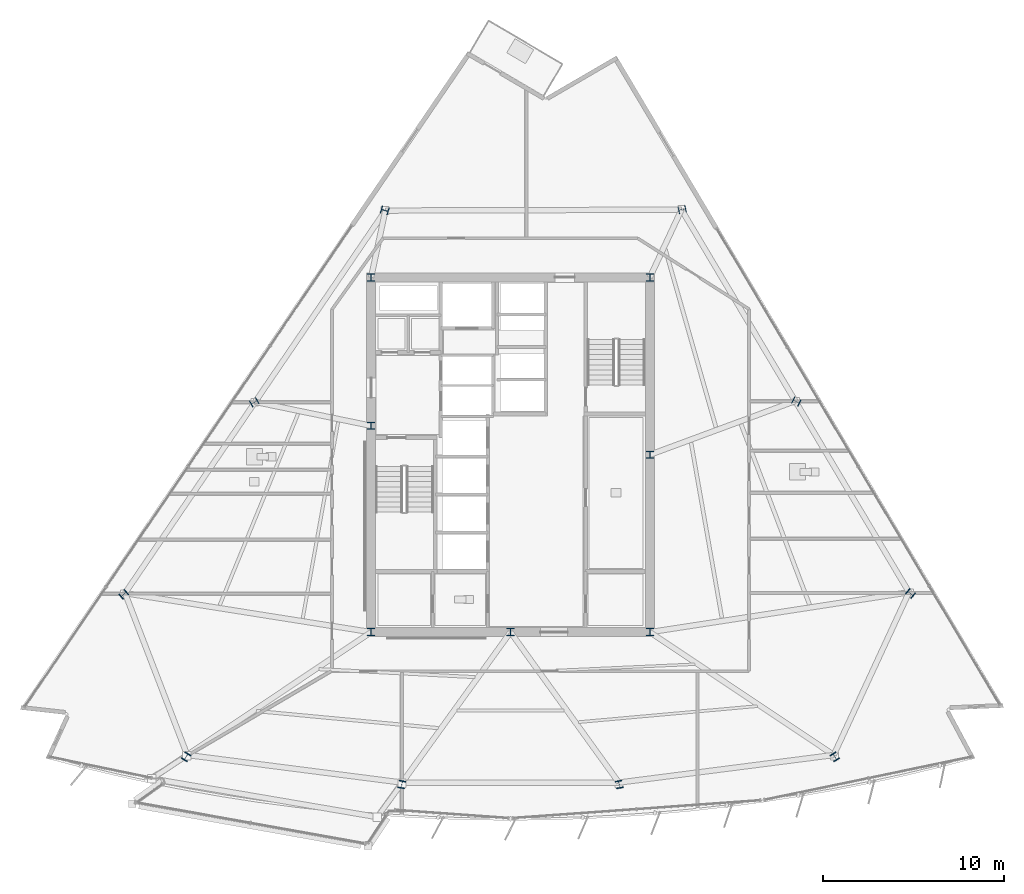
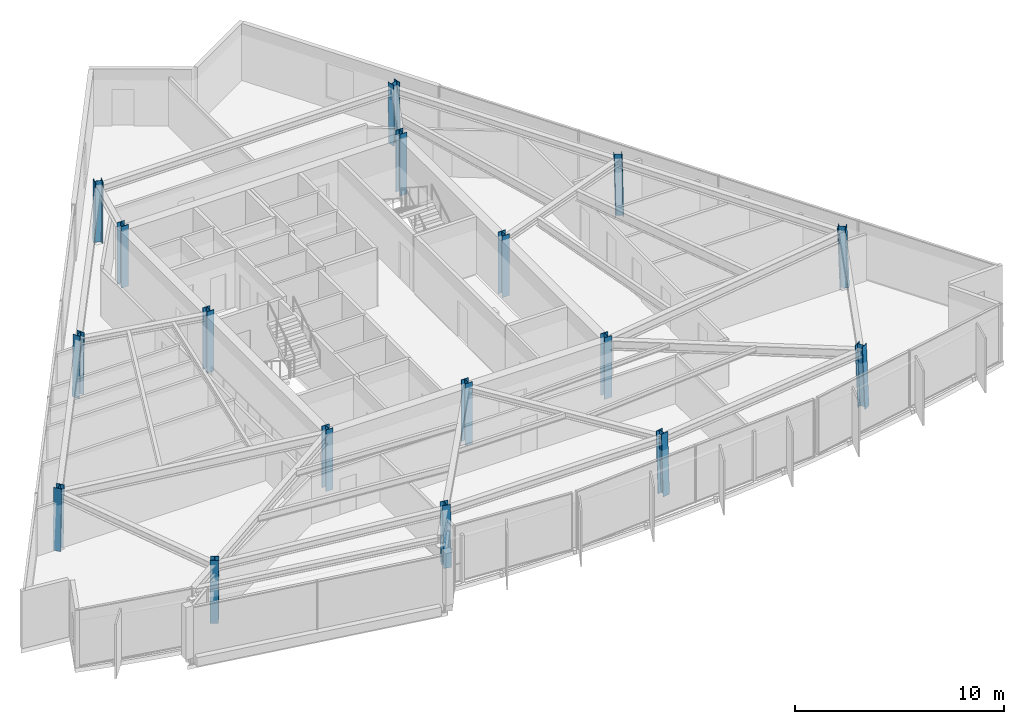
# One storey, part 1 of 16: 17 columns.
"""IFC4 building model written with IfcOpenShell, lengths in metres."""

from ifc_helpers import new_model, si_unit, direction, frame, origin, origin_2d, place, context, subcontext, project, spatial, i_section, extrude, material, material_profile, profile_set, type_object, element, save


model = new_model("IFC4")

# Units and contexts
model_context = context("Model", 3, precision=1e-05, world=origin(), true_north=direction((0.0, 1.0)))
body_context = subcontext(model_context, "Body", "Model", "MODEL_VIEW")
ifc_project = project(units=[si_unit("LENGTHUNIT", "METRE"), si_unit("AREAUNIT", "SQUARE_METRE"), si_unit("VOLUMEUNIT", "CUBIC_METRE"), si_unit("PLANEANGLEUNIT", "RADIAN"), si_unit("MASSUNIT", "GRAM", prefix="KILO")], contexts=[model_context])

# Site, building, storey
site_placement = place(None, origin())
site = spatial("IfcSite", under=ifc_project, at=site_placement, CompositionType="ELEMENT")
building_placement = place(site_placement, origin())
building = spatial("IfcBuilding", under=site, at=building_placement, Name="Savorim Split Tower", CompositionType="ELEMENT")
storey_placement = place(building_placement, frame((0.0, 0.0, 149.39990234375)))
storey = spatial("IfcBuildingStorey", under=building, at=storey_placement, Name="L39", CompositionType="ELEMENT", Elevation=149.39990234375)

# Columns
ifc_material = material(Name="Steel S460", Category="steel")
ifc_material_profile = material_profile(ifc_material, i_section(OverallWidth=0.404052734375, OverallDepth=0.406982421875, WebThickness=0.017333984375, FlangeThickness=0.028076171875, FilletRadius=0.014892578125, at=origin_2d()), Name="HD 400x347")
ifc_profile_set = profile_set([ifc_material_profile], Name="Steel S460")
column_type = type_object("IfcColumnType", Name="COL-HD-347", PredefinedType="COLUMN", material=ifc_profile_set)
for number, where, z_axis, x_axis, name in (
    (1, (-7.699951171875, -9.39990234375, 0.0), (0.0, 0.0, 1.0), (1.0, 0.0, 0.0), "L39 Core Structural Column TC-C1"),
    (2, (7.699951171875, -9.39990234375, 0.0), (0.0, 0.0, 1.0), (1.0, 0.0, 0.0), "L39 Core Structural Column TC-C2"),
    (3, (7.699951171875, 10.199951171875, 0.0), (0.0, 0.0, 1.0), (1.0, 0.0, 0.0), "L39 Core Structural Column TC-C3"),
    (4, (-7.699951171875, 10.199951171875, 0.0), (0.0, 0.0, 1.0), (1.0, 0.0, 0.0), "L39 Core Structural Column TC-C4"),
    (5, (0.0, -9.39990234375, 0.0), (0.0, 0.0, 1.0), (1.0, 0.0, 0.0), "L39 Core Structural Column TC-C5"),
    (6, (7.699951171875, 0.39990234375, 0.0), (0.0, 0.0, 1.0), (1.0, 0.0, 0.0), "L39 Core Structural Column TC-C6"),
    (7, (-7.699951171875, 2.0, 0.0), (0.0, 0.0, 1.0), (1.0, 0.0, 0.0), "L39 Core Structural Column TC-C7"),
):
    element("IfcColumn", number, at=place(storey_placement, frame(where, z_axis=z_axis, x_axis=x_axis)), inside=storey, type_object=column_type, Name=name, PredefinedType="COLUMN", context=body_context, shape_type="SweptSolid", body=[
        extrude(i_section(OverallWidth=0.404052734375, OverallDepth=0.406982421875, WebThickness=0.017333984375, FlangeThickness=0.028076171875, FilletRadius=0.014892578125, at=origin_2d()), origin(), (0.0, 0.0, 1.0), 3.60009765625),
    ])
column_1_placement = place(storey_placement, frame((-17.9326171875, -16.3076171875, 0.005615234375), z_axis=(0.020596292833, 0.033511459955, 0.999226087917), x_axis=(-0.851954850327, 0.523615252838, 0.0)))
element("IfcColumn", 8, at=column_1_placement, inside=storey, type_object=column_type, Name="L39 Tapered Perimeter Column PC-S1", PredefinedType="COLUMN", context=body_context, shape_type="SweptSolid", body=[
    extrude(i_section(OverallWidth=0.404052734375, OverallDepth=0.406982421875, WebThickness=0.017333984375, FlangeThickness=0.028076171875, FilletRadius=0.014892578125, at=origin_2d()), origin(), (0.0, 0.0, 1.0), 3.591552734375),
])
for number, where, z_axis, x_axis, name in (
    (9, (-6.01025390625, -17.83837890625, 0.005615234375), (0.006934288159, 0.035283289748, 0.999353293441), (-0.981229659911, 0.192842823335, 0.0), "L39 Tapered Perimeter Column PC-S2"),
    (10, (6.01025390625, -17.83837890625, 0.005615234375), (-0.006934288159, 0.035283289748, 0.999353293441), (-0.981229659911, -0.192842823335, 0.0), "L39 Tapered Perimeter Column PC-S3"),
):
    element("IfcColumn", number, at=place(storey_placement, frame(where, z_axis=z_axis, x_axis=x_axis)), inside=storey, type_object=column_type, Name=name, PredefinedType="COLUMN", context=body_context, shape_type="SweptSolid", body=[
        extrude(i_section(OverallWidth=0.404052734375, OverallDepth=0.406982421875, WebThickness=0.017333984375, FlangeThickness=0.028076171875, FilletRadius=0.014892578125, at=origin_2d()), origin(), (0.0, 0.0, 1.0), 3.59130859375),
    ])
column_2_placement = place(storey_placement, frame((17.9326171875, -16.3076171875, 0.005615234375), z_axis=(-0.020596292833, 0.033511459955, 0.999226087917), x_axis=(-0.851954850327, -0.523615252838, 0.0)))
element("IfcColumn", 11, at=column_2_placement, inside=storey, type_object=column_type, Name="L39 Tapered Perimeter Column PC-S4", PredefinedType="COLUMN", context=body_context, shape_type="SweptSolid", body=[
    extrude(i_section(OverallWidth=0.404052734375, OverallDepth=0.406982421875, WebThickness=0.017333984375, FlangeThickness=0.028076171875, FilletRadius=0.014892578125, at=origin_2d()), origin(), (0.0, 0.0, 1.0), 3.591552734375),
])
column_3_placement = place(storey_placement, frame((22.110595703125, -7.275634765625, 0.005615234375), z_axis=(-0.026039494941, 0.021620259507, 0.999427090428), x_axis=(-0.638800249892, -0.769372628015, 0.0)))
element("IfcColumn", 12, at=column_3_placement, inside=storey, type_object=column_type, Name="L39 Tapered Perimeter Column PC-E1", PredefinedType="COLUMN", context=body_context, shape_type="SweptSolid", body=[
    extrude(i_section(OverallWidth=0.404052734375, OverallDepth=0.406982421875, WebThickness=0.017333984375, FlangeThickness=0.028076171875, FilletRadius=0.014892578125, at=origin_2d()), origin(), (0.0, 0.0, 1.0), 3.5908203125),
])
column_4_placement = place(storey_placement, frame((15.800537109375, 3.336181640625, 0.005615234375), z_axis=(-0.018907314261, 0.009589680974, 0.999775250487), x_axis=(-0.452339157861, -0.891845999187, 0.0)))
element("IfcColumn", 13, at=column_4_placement, inside=storey, type_object=column_type, Name="L39 Tapered Perimeter Column PC-E2", PredefinedType="COLUMN", context=body_context, shape_type="SweptSolid", body=[
    extrude(i_section(OverallWidth=0.404052734375, OverallDepth=0.406982421875, WebThickness=0.017333984375, FlangeThickness=0.028076171875, FilletRadius=0.014892578125, at=origin_2d()), origin(), (0.0, 0.0, 1.0), 3.589599609375),
])
for number, where, z_axis, x_axis, name in (
    (14, (9.490478515625, 13.9482421875, 0.005615234375), (-0.011699840322, -0.002584848443, 0.999928213571), (0.215728093413, -0.976453475447, 0.0), "L39 Tapered Perimeter Column PC-E3"),
    (15, (-6.9462890625, 13.8994140625, 0.005615234375), (0.008843162072, -0.002584924298, 0.999957557425), (0.280566991813, 0.959834445675, 0.0), "L39 Tapered Perimeter Column PC-W1"),
):
    element("IfcColumn", number, at=place(storey_placement, frame(where, z_axis=z_axis, x_axis=x_axis)), inside=storey, type_object=column_type, Name=name, PredefinedType="COLUMN", context=body_context, shape_type="SweptSolid", body=[
        extrude(i_section(OverallWidth=0.404052734375, OverallDepth=0.406982421875, WebThickness=0.017333984375, FlangeThickness=0.028076171875, FilletRadius=0.014892578125, at=origin_2d()), origin(), (0.0, 0.0, 1.0), 3.589111328125),
    ])
column_5_placement = place(storey_placement, frame((-14.165283203125, 3.28759765625, 0.005615234375), z_axis=(0.017071567417, 0.009521989794, 0.999808928394), x_axis=(-0.487119351792, 0.873335409284, 0.0)))
element("IfcColumn", 16, at=column_5_placement, inside=storey, type_object=column_type, Name="L39 Tapered Perimeter Column PC-W2", PredefinedType="COLUMN", context=body_context, shape_type="SweptSolid", body=[
    extrude(i_section(OverallWidth=0.404052734375, OverallDepth=0.406982421875, WebThickness=0.017333984375, FlangeThickness=0.028076171875, FilletRadius=0.014892578125, at=origin_2d()), origin(), (0.0, 0.0, 1.0), 3.589599609375),
])
column_6_placement = place(storey_placement, frame((-21.38427734375, -7.324462890625, 0.005615234375), z_axis=(0.025224163578, 0.021620711639, 0.999447990843), x_axis=(-0.650791373456, 0.759256602365, 0.0)))
element("IfcColumn", 17, at=column_6_placement, inside=storey, type_object=column_type, Name="L39 Tapered Perimeter Column PC-W3", PredefinedType="COLUMN", context=body_context, shape_type="SweptSolid", body=[
    extrude(i_section(OverallWidth=0.404052734375, OverallDepth=0.406982421875, WebThickness=0.017333984375, FlangeThickness=0.028076171875, FilletRadius=0.014892578125, at=origin_2d()), origin(), (0.0, 0.0, 1.0), 3.5908203125),
])

save(model, "model.ifc")
